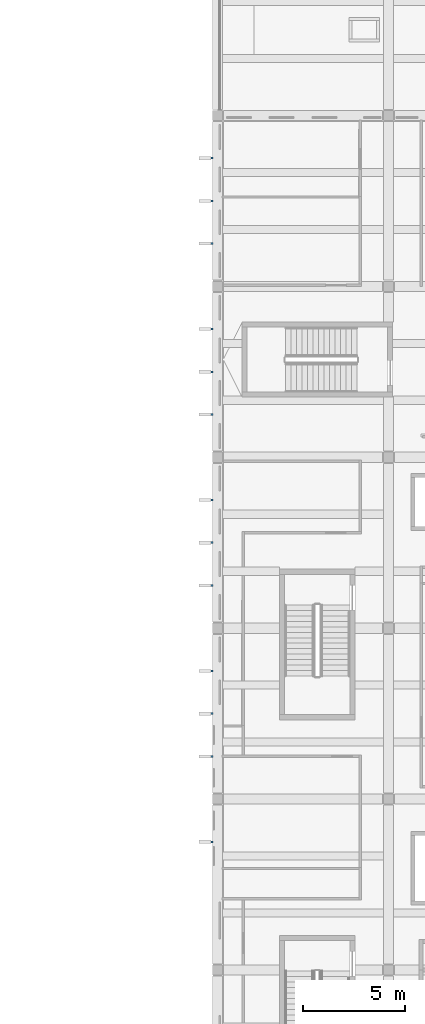
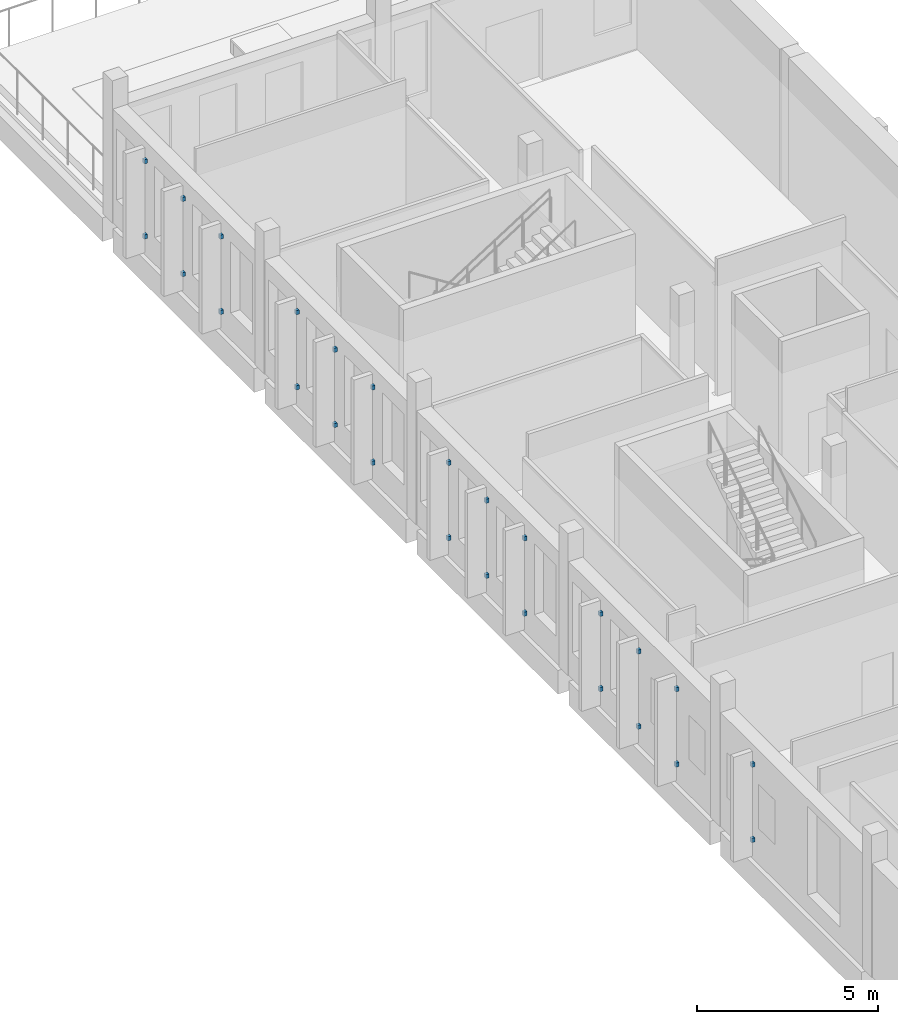
# One storey, part 54 of 79: 26 discrete accessories.
"""IFC4 building model written with IfcOpenShell, lengths in metres."""

from ifc_helpers import new_model, si_unit, direction, frame, origin, origin_2d, place, context, subcontext, project, spatial, rectangle, extrude, material, layer, layer_set, type_object, element, save


model = new_model("IFC4")

# Units and contexts
model_context = context("Model", 3, precision=1e-05, world=origin(), true_north=direction((0.0, 1.0)))
body_context = subcontext(model_context, "Body", "Model", "MODEL_VIEW")
ifc_project = project(units=[si_unit("LENGTHUNIT", "METRE"), si_unit("AREAUNIT", "SQUARE_METRE"), si_unit("VOLUMEUNIT", "CUBIC_METRE"), si_unit("PLANEANGLEUNIT", "RADIAN"), si_unit("MASSUNIT", "GRAM", prefix="KILO")], contexts=[model_context])

# Site, building, storey
site_placement = place(None, origin())
site = spatial("IfcSite", under=ifc_project, at=site_placement, CompositionType="ELEMENT")
building_placement = place(site_placement, origin())
building = spatial("IfcBuilding", under=site, at=building_placement, Name="Larchfold Concert Hall", CompositionType="ELEMENT")
storey_placement = place(building_placement, frame((0.0, 0.0, 14.39990234375)))
storey = spatial("IfcBuildingStorey", under=building, at=storey_placement, Name="L03", CompositionType="ELEMENT", Elevation=14.39990234375)

# Discrete accessories
ifc_material = material(Name="Steel S355 galvanised bracket", Category="steel")
ifc_layer = layer(ifc_material, 0.10009765625)
ifc_layer_set = layer_set([ifc_layer], Name="Steel S355 galvanised bracket")
discrete_accessory_type = type_object("IfcDiscreteAccessoryType", Name="Fin support bracket", PredefinedType="BRACKET", material=ifc_layer_set)
for number, where, z_axis, x_axis, name in (
    (1, (84.3251953125, 44.699951171875, 0.6298828125), (0.0, 0.0, 1.0), (-1.0, 0.0, 0.0), "Fin bracket FN-L03-044-1"),
    (2, (84.3251953125, 44.699951171875, 3.169921875), (0.0, 0.0, 1.0), (-1.0, 0.0, 0.0), "Fin bracket FN-L03-044-2"),
    (3, (84.3251953125, 46.800048828125, 0.6298828125), (0.0, 0.0, 1.0), (-1.0, 0.0, 0.0), "Fin bracket FN-L03-045-1"),
    (4, (84.3251953125, 46.800048828125, 3.169921875), (0.0, 0.0, 1.0), (-1.0, 0.0, 0.0), "Fin bracket FN-L03-045-2"),
    (5, (84.3251953125, 48.89990234375, 0.6298828125), (0.0, 0.0, 1.0), (-1.0, 0.0, 0.0), "Fin bracket FN-L03-046-1"),
    (6, (84.3251953125, 48.89990234375, 3.169921875), (0.0, 0.0, 1.0), (-1.0, 0.0, 0.0), "Fin bracket FN-L03-046-2"),
    (7, (84.3251953125, 36.300048828125, 0.6298828125), (0.0, 0.0, 1.0), (-1.0, 0.0, 0.0), "Fin bracket FN-L03-047-1"),
    (8, (84.3251953125, 36.300048828125, 3.169921875), (0.0, 0.0, 1.0), (-1.0, 0.0, 0.0), "Fin bracket FN-L03-047-2"),
    (9, (84.3251953125, 38.39990234375, 0.6298828125), (0.0, 0.0, 1.0), (-1.0, 0.0, 0.0), "Fin bracket FN-L03-048-1"),
    (10, (84.3251953125, 38.39990234375, 3.169921875), (0.0, 0.0, 1.0), (-1.0, 0.0, 0.0), "Fin bracket FN-L03-048-2"),
    (11, (84.3251953125, 40.5, 0.6298828125), (0.0, 0.0, 1.0), (-1.0, 0.0, 0.0), "Fin bracket FN-L03-049-1"),
    (12, (84.3251953125, 40.5, 3.169921875), (0.0, 0.0, 1.0), (-1.0, 0.0, 0.0), "Fin bracket FN-L03-049-2"),
    (13, (84.3251953125, 27.89990234375, 0.6298828125), (0.0, 0.0, 1.0), (-1.0, 0.0, 0.0), "Fin bracket FN-L03-050-1"),
    (14, (84.3251953125, 27.89990234375, 3.169921875), (0.0, 0.0, 1.0), (-1.0, 0.0, 0.0), "Fin bracket FN-L03-050-2"),
    (15, (84.3251953125, 30.0, 0.6298828125), (0.0, 0.0, 1.0), (-1.0, 0.0, 0.0), "Fin bracket FN-L03-051-1"),
    (16, (84.3251953125, 30.0, 3.169921875), (0.0, 0.0, 1.0), (-1.0, 0.0, 0.0), "Fin bracket FN-L03-051-2"),
    (17, (84.3251953125, 32.10009765625, 0.6298828125), (0.0, 0.0, 1.0), (-1.0, 0.0, 0.0), "Fin bracket FN-L03-052-1"),
    (18, (84.3251953125, 32.10009765625, 3.169921875), (0.0, 0.0, 1.0), (-1.0, 0.0, 0.0), "Fin bracket FN-L03-052-2"),
    (19, (84.3251953125, 19.5, 0.6298828125), (0.0, 0.0, 1.0), (-1.0, 0.0, 0.0), "Fin bracket FN-L03-053-1"),
    (20, (84.3251953125, 19.5, 3.169921875), (0.0, 0.0, 1.0), (-1.0, 0.0, 0.0), "Fin bracket FN-L03-053-2"),
    (21, (84.3251953125, 21.60009765625, 0.6298828125), (0.0, 0.0, 1.0), (-1.0, 0.0, 0.0), "Fin bracket FN-L03-054-1"),
    (22, (84.3251953125, 21.60009765625, 3.169921875), (0.0, 0.0, 1.0), (-1.0, 0.0, 0.0), "Fin bracket FN-L03-054-2"),
    (23, (84.3251953125, 23.699951171875, 0.6298828125), (0.0, 0.0, 1.0), (-1.0, 0.0, 0.0), "Fin bracket FN-L03-055-1"),
    (24, (84.3251953125, 23.699951171875, 3.169921875), (0.0, 0.0, 1.0), (-1.0, 0.0, 0.0), "Fin bracket FN-L03-055-2"),
    (25, (84.3251953125, 15.300048828125, 0.6298828125), (0.0, 0.0, 1.0), (-1.0, 0.0, 0.0), "Fin bracket FN-L03-056-1"),
    (26, (84.3251953125, 15.300048828125, 3.169921875), (0.0, 0.0, 1.0), (-1.0, 0.0, 0.0), "Fin bracket FN-L03-056-2"),
):
    element("IfcDiscreteAccessory", number, at=place(storey_placement, frame(where, z_axis=z_axis, x_axis=x_axis)), inside=storey, type_object=discrete_accessory_type, Name=name, PredefinedType="BRACKET", context=body_context, shape_type="SweptSolid", body=[
        extrude(rectangle(XDim=0.10009765625, YDim=0.10009765625, at=origin_2d()), origin(), (0.0, 0.0, 1.0), 0.139892578125),
    ])

save(model, "model.ifc")
